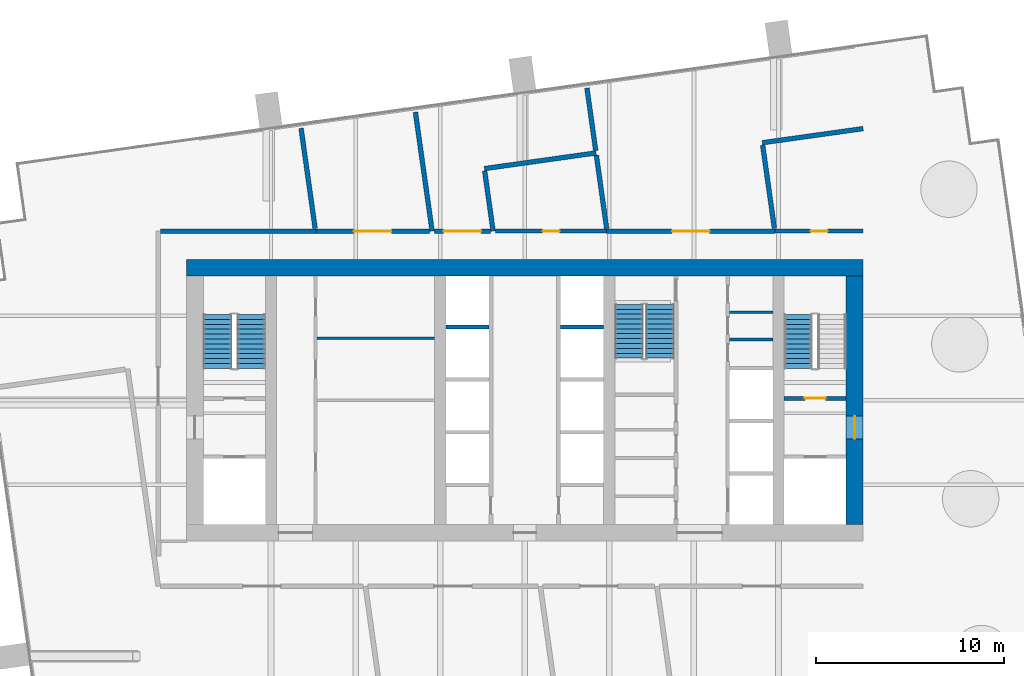
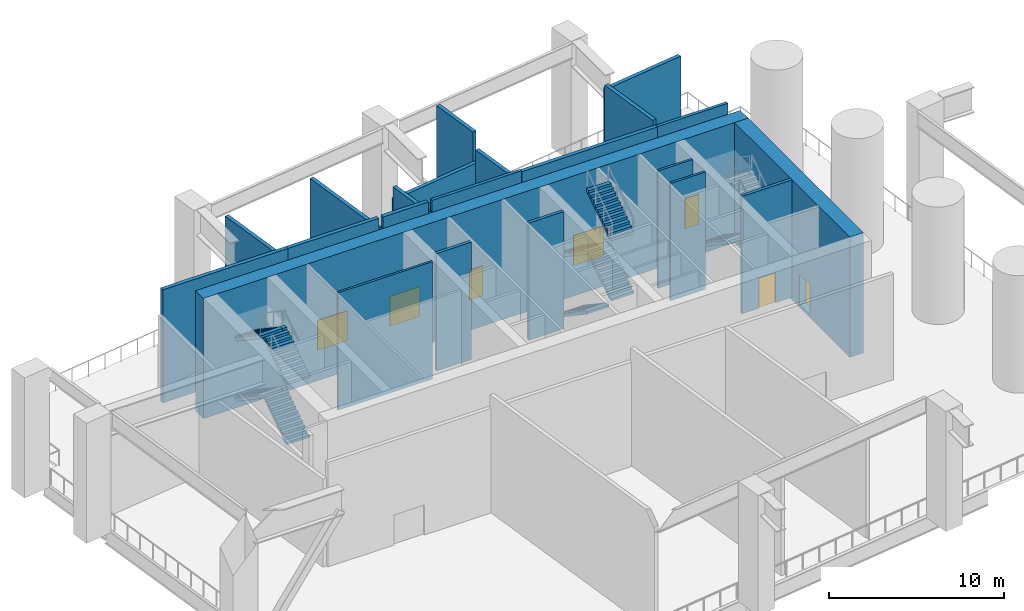
# One storey, part 4 of 13: 22 walls, 9 stair flights, 7 doors, 7 openings, 3 elements without a shape of their own.
"""IFC4 building model written with IfcOpenShell, lengths in metres."""

from ifc_helpers import new_model, si_unit, direction, frame, frame_2d, origin, place, context, subcontext, project, spatial, polyline, rectangle, outline, extrude, material, layer, layer_set, type_object, element, fill, aggregate, save


model = new_model("IFC4")

# Units and contexts
model_context = context("Model", 3, precision=1e-05, world=origin(), true_north=direction((0.0, 1.0)))
body_context = subcontext(model_context, "Body", "Model", "MODEL_VIEW")
ifc_project = project(units=[si_unit("LENGTHUNIT", "METRE"), si_unit("AREAUNIT", "SQUARE_METRE"), si_unit("VOLUMEUNIT", "CUBIC_METRE"), si_unit("PLANEANGLEUNIT", "RADIAN"), si_unit("MASSUNIT", "GRAM", prefix="KILO")], contexts=[model_context])

# Site, building, storey
site_placement = place(None, origin())
site = spatial("IfcSite", under=ifc_project, at=site_placement, CompositionType="ELEMENT")
building_placement = place(site_placement, origin())
building = spatial("IfcBuilding", under=site, at=building_placement, Name="Rattan Terrace Tower", CompositionType="ELEMENT")
storey_placement = place(building_placement, frame((0.0, 0.0, 199.699951171875)))
storey = spatial("IfcBuildingStorey", under=building, at=storey_placement, Name="L46", CompositionType="ELEMENT", Elevation=199.699951171875)

# Walls
ifc_material_1 = material(Name="Gypsum board partition")
ifc_layer_1 = layer(ifc_material_1, 0.14990234375)
ifc_layer_set_1 = layer_set([ifc_layer_1], Name="Core partition 150")
wall_type_1 = type_object("IfcWallType", Name="Core partition 150", PredefinedType="PARTITIONING", material=ifc_layer_set_1)
wall_1_placement = place(storey_placement, frame((-11.050048828125, 3.300048828125, 0.0), z_axis=(0.0, 0.0, 1.0), x_axis=(1.0, 0.0, 0.0)))
element("IfcWall", 1, at=wall_1_placement, inside=storey, type_object=wall_type_1, Name="Core room wall", PredefinedType="PARTITIONING", context=body_context, shape_type="SweptSolid", body=[
    extrude(rectangle(XDim=6.25, YDim=0.14990234375, at=frame_2d((3.125, 0.0))), origin(), (0.0, 0.0, 1.0), 8.199951171875),
])
for number, where, z_axis, x_axis, name in (
    (2, (10.89990234375, 3.239990234375, 0.0), (0.0, 0.0, 1.0), (1.0, 0.0, 0.0), "Riser room wall"),
    (3, (10.89990234375, 4.679931640625, 0.0), (0.0, 0.0, 1.0), (1.0, 0.0, 0.0), "Riser room wall"),
):
    element("IfcWall", number, at=place(storey_placement, frame(where, z_axis=z_axis, x_axis=x_axis)), inside=storey, type_object=wall_type_1, Name=name, PredefinedType="PARTITIONING", context=body_context, shape_type="SweptSolid", body=[
        extrude(rectangle(XDim=2.300048828125, YDim=0.14990234375, at=frame_2d((1.14990234375, 0.0))), origin(), (0.0, 0.0, 1.0), 8.199951171875),
    ])

# Wall, opening, door
ifc_material_2 = material(Name="Gypsum board partition")
ifc_layer_2 = layer(ifc_material_2, 0.199951171875)
ifc_layer_set_2 = layer_set([ifc_layer_2], Name="Core partition 200")
wall_type_2 = type_object("IfcWallType", Name="Core partition 200", PredefinedType="PARTITIONING", material=ifc_layer_set_2)
wall_2_placement = place(storey_placement, frame((13.800048828125, 0.10009765625, 0.0), z_axis=(0.0, 0.0, 1.0), x_axis=(1.0, 0.0, 0.0)))
wall_2 = element("IfcWall", 4, at=wall_2_placement, inside=storey, type_object=wall_type_2, Name="Stair enclosure wall", PredefinedType="PARTITIONING", context=body_context, shape_type="SweptSolid", body=[
    extrude(rectangle(XDim=3.300048828125, YDim=0.199951171875, at=frame_2d((1.64990234375, 0.0))), origin(), (0.0, 0.0, 1.0), 8.199951171875),
])
opening_1_placement = place(wall_2_placement, frame((1.10009765625, 0.0, 0.0)))
opening_1 = element("IfcOpeningElement", 5, at=opening_1_placement, cuts=wall_2, Name="Opening L46-D004", PredefinedType="OPENING", context=body_context, shape_type="SweptSolid", body=[
    extrude(rectangle(XDim=1.10009765625, YDim=2.10009765625, at=frame_2d((0.550048828125, 1.050048828125))), frame((0.0, 0.110595703125, 0.0), z_axis=(0.0, -1.0, 0.0), x_axis=(1.0, 0.0, 0.0)), (0.0, 0.0, 1.0), 0.220947265625),
])
ifc_material_3 = material(Name="Hollow-metal fire door leaf")
door_type_1 = type_object("IfcDoorType", Name="Core stair door 1100", OperationType="NOTDEFINED", PredefinedType="DOOR", material=ifc_material_3)
door_1_placement = place(opening_1_placement, origin())
door_1 = element("IfcDoor", 6, at=door_1_placement, inside=storey, type_object=door_type_1, Name="Door L46-D004", OperationType="SINGLE_SWING_RIGHT", OverallHeight=2.10009765625, OverallWidth=1.10009765625, PredefinedType="DOOR", context=body_context, shape_type="SweptSolid", body=[
    extrude(rectangle(XDim=1.10009765625, YDim=2.10009765625, at=frame_2d((0.550048828125, 1.050048828125))), frame((0.0, 0.02490234375, 0.0), z_axis=(0.0, -1.0, 0.0), x_axis=(1.0, 0.0, 0.0)), (0.0, 0.0, 1.0), 0.050048828125),
])
fill(opening_1, door_1)

# Wall
ifc_material_4 = material(Name="Concrete C60/75", Category="concrete")
ifc_layer_3 = layer(ifc_material_4, 0.89990234375)
ifc_layer_set_3 = layer_set([ifc_layer_3], Name="Core ring wall 900 C60/75")
wall_type_3 = type_object("IfcWallType", Name="Core ring wall 900 C60/75", PredefinedType="SHEAR", material=ifc_layer_set_3)
wall_3_placement = place(storey_placement, frame((-18.0, 7.050048828125, -0.199951171875), z_axis=(0.0, 0.0, 1.0), x_axis=(1.0, 0.0, 0.0)))
element("IfcWall", 7, at=wall_3_placement, inside=storey, type_object=wall_type_3, Name="Rear core wall north", PredefinedType="SHEAR", context=body_context, shape_type="SweptSolid", body=[
    extrude(rectangle(XDim=36.0, YDim=0.89990234375, at=frame_2d((18.0, 0.0))), origin(), (0.0, 0.0, 1.0), 8.39990234375),
])

# Wall, opening, door
wall_4_placement = place(storey_placement, frame((17.550048828125, -6.60009765625, -0.199951171875), z_axis=(0.0, 0.0, 1.0), x_axis=(0.0, 1.0, 0.0)))
wall_4 = element("IfcWall", 8, at=wall_4_placement, inside=storey, type_object=wall_type_3, Name="Rear core wall east", PredefinedType="SHEAR", context=body_context, shape_type="SweptSolid", body=[
    extrude(rectangle(XDim=13.2001953125, YDim=0.89990234375, at=frame_2d((6.60009765625, 0.0))), origin(), (0.0, 0.0, 1.0), 8.39990234375),
])
opening_2_placement = place(wall_4_placement, frame((4.550048828125, 0.0, 0.199951171875)))
opening_2 = element("IfcOpeningElement", 9, at=opening_2_placement, cuts=wall_4, Name="Opening L46-D003", PredefinedType="OPENING", context=body_context, shape_type="SweptSolid", body=[
    extrude(rectangle(XDim=1.199951171875, YDim=2.10009765625, at=frame_2d((0.60009765625, 1.050048828125))), frame((0.0, 0.46044921875, 0.0), z_axis=(0.0, -1.0, 0.0), x_axis=(1.0, 0.0, 0.0)), (0.0, 0.0, 1.0), 0.9208984375),
])
ifc_material_5 = material(Name="Hollow-metal fire door leaf")
door_type_2 = type_object("IfcDoorType", Name="Core fire-fighting lobby door 1200", OperationType="NOTDEFINED", PredefinedType="DOOR", material=ifc_material_5)
door_2_placement = place(opening_2_placement, origin())
door_2 = element("IfcDoor", 10, at=door_2_placement, inside=storey, type_object=door_type_2, Name="Door L46-D003", OperationType="SINGLE_SWING_LEFT", OverallHeight=2.10009765625, OverallWidth=1.199951171875, PredefinedType="DOOR", context=body_context, shape_type="SweptSolid", body=[
    extrude(rectangle(XDim=1.199951171875, YDim=2.10009765625, at=frame_2d((0.60009765625, 1.050048828125))), frame((0.0, 0.02490234375, 0.0), z_axis=(0.0, -1.0, 0.0), x_axis=(1.0, 0.0, 0.0)), (0.0, 0.0, 1.0), 0.050048828125),
])
fill(opening_2, door_2)

ifc_material_6 = material(Name="Concrete block wall, plastered", Category="concrete")
ifc_layer_4 = layer(ifc_material_6, 0.199951171875)
ifc_layer_set_4 = layer_set([ifc_layer_4], Name="Floors Plant Wall 200")
wall_type_4 = type_object("IfcWallType", Name="Floors Plant Wall 200", PredefinedType="PARTITIONING", material=ifc_layer_set_4)
wall_5_placement = place(storey_placement, frame((-1.55908203125, 8.9990234375, 0.0), z_axis=(0.0, 0.0, 1.0), x_axis=(1.0, 0.0, 0.0)))
wall_5 = element("IfcWall", 11, at=wall_5_placement, inside=storey, type_object=wall_type_4, Name="pt-L46-010", PredefinedType="PARTITIONING", context=body_context, shape_type="SweptSolid", body=[
    extrude(rectangle(XDim=5.9150390625, YDim=0.199951171875, at=frame_2d((2.95751953125, 0.0))), origin(), (0.0, 0.0, 1.0), 7.900146484375),
])
opening_3_placement = place(wall_5_placement, frame((2.508056640625, 0.0, 0.0)))
opening_3 = element("IfcOpeningElement", 12, at=opening_3_placement, cuts=wall_5, Name="Opening L46-D106", PredefinedType="OPENING", context=body_context, shape_type="SweptSolid", body=[
    extrude(rectangle(XDim=0.89990234375, YDim=2.10009765625, at=frame_2d((0.449951171875, 1.050048828125))), frame((0.0, 0.110595703125, 0.0), z_axis=(0.0, -1.0, 0.0), x_axis=(1.0, 0.0, 0.0)), (0.0, 0.0, 1.0), 0.220947265625),
])
ifc_material_7 = material(Name="Steel fire door set", Category="steel")
door_type_3 = type_object("IfcDoorType", Name="Floors Fire Door FD60 900x2100", OperationType="NOTDEFINED", PredefinedType="DOOR", material=ifc_material_7)
door_3_placement = place(opening_3_placement, origin())
door_3 = element("IfcDoor", 13, at=door_3_placement, inside=storey, type_object=door_type_3, Name="d-L46-106", OperationType="SINGLE_SWING_LEFT", OverallHeight=2.10009765625, OverallWidth=0.89990234375, PredefinedType="DOOR", context=body_context, shape_type="SweptSolid", body=[
    extrude(rectangle(XDim=0.89990234375, YDim=2.10009765625, at=frame_2d((0.449951171875, 1.050048828125))), frame((0.0, 0.02490234375, 0.0), z_axis=(0.0, -1.0, 0.0), x_axis=(1.0, 0.0, 0.0)), (0.0, 0.0, 1.0), 0.050048828125),
])
fill(opening_3, door_3)

wall_6_placement = place(storey_placement, frame((13.321044921875, 8.9990234375, 0.0), z_axis=(0.0, 0.0, 1.0), x_axis=(1.0, 0.0, 0.0)))
wall_6 = element("IfcWall", 14, at=wall_6_placement, inside=storey, type_object=wall_type_4, Name="pt-L46-012", PredefinedType="PARTITIONING", context=body_context, shape_type="SweptSolid", body=[
    extrude(rectangle(XDim=4.678955078125, YDim=0.199951171875, at=frame_2d((2.33935546875, 0.0))), origin(), (0.0, 0.0, 1.0), 7.840087890625),
])
opening_4_placement = place(wall_6_placement, frame((1.889892578125, 0.0, 0.0)))
opening_4 = element("IfcOpeningElement", 15, at=opening_4_placement, cuts=wall_6, Name="Opening L46-D108", PredefinedType="OPENING", context=body_context, shape_type="SweptSolid", body=[
    extrude(rectangle(XDim=0.89990234375, YDim=2.10009765625, at=frame_2d((0.449951171875, 1.050048828125))), frame((0.0, 0.110595703125, 0.0), z_axis=(0.0, -1.0, 0.0), x_axis=(1.0, 0.0, 0.0)), (0.0, 0.0, 1.0), 0.220947265625),
])
door_4_placement = place(opening_4_placement, origin())
door_4 = element("IfcDoor", 16, at=door_4_placement, inside=storey, type_object=door_type_3, Name="d-L46-108", OperationType="SINGLE_SWING_LEFT", OverallHeight=2.10009765625, OverallWidth=0.89990234375, PredefinedType="DOOR", context=body_context, shape_type="SweptSolid", body=[
    extrude(rectangle(XDim=0.89990234375, YDim=2.10009765625, at=frame_2d((0.449951171875, 1.050048828125))), frame((0.0, 0.02490234375, 0.0), z_axis=(0.0, -1.0, 0.0), x_axis=(1.0, 0.0, 0.0)), (0.0, 0.0, 1.0), 0.050048828125),
])
fill(opening_4, door_4)

# Wall
ifc_material_8 = material(Name="Reinforced concrete wall, painted", Category="concrete")
ifc_layer_5 = layer(ifc_material_8, 0.25)
ifc_layer_set_5 = layer_set([ifc_layer_5], Name="Floors Refuge Wall 250")
wall_type_5 = type_object("IfcWallType", Name="Floors Refuge Wall 250", PredefinedType="PARTITIONING", material=ifc_layer_set_5)
wall_7_placement = place(storey_placement, frame((-19.375, 9.0, 0.0), z_axis=(0.0, 0.0, 1.0), x_axis=(1.0, 0.0, 0.0)))
element("IfcWall", 17, at=wall_7_placement, inside=storey, type_object=wall_type_5, Name="pt-L46-008", PredefinedType="PARTITIONING", context=body_context, shape_type="SweptSolid", body=[
    extrude(rectangle(XDim=8.262939453125, YDim=0.25, at=frame_2d((4.13134765625, 0.0))), origin(), (0.0, 0.0, 1.0), 7.900146484375),
])

# Wall, opening, door
wall_8_placement = place(storey_placement, frame((-11.112060546875, 8.9990234375, 0.0), z_axis=(0.0, 0.0, 1.0), x_axis=(1.0, 0.0, 0.0)))
wall_8 = element("IfcWall", 18, at=wall_8_placement, inside=storey, type_object=wall_type_5, Name="pt-L46-009", PredefinedType="PARTITIONING", context=body_context, shape_type="SweptSolid", body=[
    extrude(rectangle(XDim=6.0400390625, YDim=0.25, at=frame_2d((3.02001953125, 0.0))), origin(), (0.0, 0.0, 1.0), 7.900146484375),
])
opening_5_placement = place(wall_8_placement, frame((2.02001953125, 0.0, 0.0)))
opening_5 = element("IfcOpeningElement", 19, at=opening_5_placement, cuts=wall_8, Name="Opening L46-D105", PredefinedType="OPENING", context=body_context, shape_type="SweptSolid", body=[
    extrude(rectangle(XDim=2.0, YDim=2.10009765625, at=frame_2d((1.0, 1.050048828125))), frame((0.0, 0.135498046875, 0.0), z_axis=(0.0, -1.0, 0.0), x_axis=(1.0, 0.0, 0.0)), (0.0, 0.0, 1.0), 0.27099609375),
])
ifc_material_9 = material(Name="Steel fire door set", Category="steel")
door_type_4 = type_object("IfcDoorType", Name="Floors Plant Equipment Door Pair FD120 2000x2100", OperationType="NOTDEFINED", PredefinedType="DOOR", material=ifc_material_9)
door_5_placement = place(opening_5_placement, origin())
door_5 = element("IfcDoor", 20, at=door_5_placement, inside=storey, type_object=door_type_4, Name="d-L46-105", OperationType="DOUBLE_DOOR_SINGLE_SWING", OverallHeight=2.10009765625, OverallWidth=2.0, PredefinedType="DOOR", context=body_context, shape_type="SweptSolid", body=[
    extrude(rectangle(XDim=2.0, YDim=2.10009765625, at=frame_2d((1.0, 1.050048828125))), frame((0.0, 0.02490234375, 0.0), z_axis=(0.0, -1.0, 0.0), x_axis=(1.0, 0.0, 0.0)), (0.0, 0.0, 1.0), 0.050048828125),
])
fill(opening_5, door_5)

wall_9_placement = place(storey_placement, frame((-4.803955078125, 8.9970703125, 0.0), z_axis=(0.0, 0.0, 1.0), x_axis=(1.0, 0.0, 0.0)))
wall_9 = element("IfcWall", 21, at=wall_9_placement, inside=storey, type_object=wall_type_5, Name="pt-L46-011", PredefinedType="PARTITIONING", context=body_context, shape_type="SweptSolid", body=[
    extrude(rectangle(XDim=2.97705078125, YDim=0.25, at=frame_2d((1.488525390625, 0.0))), origin(), (0.0, 0.0, 1.0), 7.900146484375),
])
opening_6_placement = place(wall_9_placement, frame((0.489013671875, 0.0, 0.0)))
opening_6 = element("IfcOpeningElement", 22, at=opening_6_placement, cuts=wall_9, Name="Opening L46-D107", PredefinedType="OPENING", context=body_context, shape_type="SweptSolid", body=[
    extrude(rectangle(XDim=2.0, YDim=2.10009765625, at=frame_2d((1.0, 1.050048828125))), frame((0.0, 0.135498046875, 0.0), z_axis=(0.0, -1.0, 0.0), x_axis=(1.0, 0.0, 0.0)), (0.0, 0.0, 1.0), 0.27099609375),
])
door_6_placement = place(opening_6_placement, origin())
door_6 = element("IfcDoor", 23, at=door_6_placement, inside=storey, type_object=door_type_4, Name="d-L46-107", OperationType="DOUBLE_DOOR_SINGLE_SWING", OverallHeight=2.10009765625, OverallWidth=2.0, PredefinedType="DOOR", context=body_context, shape_type="SweptSolid", body=[
    extrude(rectangle(XDim=2.0, YDim=2.10009765625, at=frame_2d((1.0, 1.050048828125))), frame((0.0, 0.02490234375, 0.0), z_axis=(0.0, -1.0, 0.0), x_axis=(1.0, 0.0, 0.0)), (0.0, 0.0, 1.0), 0.050048828125),
])
fill(opening_6, door_6)

wall_10_placement = place(storey_placement, frame((4.35595703125, 9.0, 0.0), z_axis=(0.0, 0.0, 1.0), x_axis=(1.0, 0.0, 0.0)))
wall_10 = element("IfcWall", 24, at=wall_10_placement, inside=storey, type_object=wall_type_5, Name="pt-L46-013", PredefinedType="PARTITIONING", context=body_context, shape_type="SweptSolid", body=[
    extrude(rectangle(XDim=8.965087890625, YDim=0.25, at=frame_2d((4.482421875, 0.0))), origin(), (0.0, 0.0, 1.0), 7.840087890625),
])
opening_7_placement = place(wall_10_placement, frame((3.48193359375, 0.0, 0.0)))
opening_7 = element("IfcOpeningElement", 25, at=opening_7_placement, cuts=wall_10, Name="Opening L46-D109", PredefinedType="OPENING", context=body_context, shape_type="SweptSolid", body=[
    extrude(rectangle(XDim=2.0, YDim=2.10009765625, at=frame_2d((1.0, 1.050048828125))), frame((0.0, 0.135498046875, 0.0), z_axis=(0.0, -1.0, 0.0), x_axis=(1.0, 0.0, 0.0)), (0.0, 0.0, 1.0), 0.27099609375),
])
door_7_placement = place(opening_7_placement, origin())
door_7 = element("IfcDoor", 26, at=door_7_placement, inside=storey, type_object=door_type_4, Name="d-L46-109", OperationType="DOUBLE_DOOR_SINGLE_SWING", OverallHeight=2.10009765625, OverallWidth=2.0, PredefinedType="DOOR", context=body_context, shape_type="SweptSolid", body=[
    extrude(rectangle(XDim=2.0, YDim=2.10009765625, at=frame_2d((1.0, 1.050048828125))), frame((0.0, 0.02490234375, 0.0), z_axis=(0.0, -1.0, 0.0), x_axis=(1.0, 0.0, 0.0)), (0.0, 0.0, 1.0), 0.050048828125),
])
fill(opening_7, door_7)

# Walls
wall_11_placement = place(storey_placement, frame((-11.90087890625, 14.47412109375, 0.0), z_axis=(0.0, 0.0, 1.0), x_axis=(0.139090841418, -0.990279626082, 0.0)))
element("IfcWall", 27, at=wall_11_placement, inside=storey, type_object=wall_type_5, Name="pt-L46-019", PredefinedType="PARTITIONING", context=body_context, shape_type="SweptSolid", body=[
    extrude(rectangle(XDim=5.38330078125, YDim=0.25, at=frame_2d((2.691650390625, 0.0))), origin(), (0.0, 0.0, 1.0), 7.10009765625),
])
wall_12_placement = place(storey_placement, frame((-5.818115234375, 15.3291015625, 0.0), z_axis=(0.0, 0.0, 1.0), x_axis=(0.139271219089, -0.990254274181, 0.0)))
element("IfcWall", 28, at=wall_12_placement, inside=storey, type_object=wall_type_5, Name="pt-L46-020", PredefinedType="PARTITIONING", context=body_context, shape_type="SweptSolid", body=[
    extrude(rectangle(XDim=6.391357421875, YDim=0.25, at=frame_2d((3.19580078125, 0.0))), origin(), (0.0, 0.0, 1.0), 7.10009765625),
])
wall_13_placement = place(storey_placement, frame((-2.14892578125, 12.323974609375, 0.0), z_axis=(0.0, 0.0, 1.0), x_axis=(0.990267623823, 0.139176266683, 0.0)))
element("IfcWall", 29, at=wall_13_placement, inside=storey, type_object=wall_type_5, Name="pt-L46-021", PredefinedType="PARTITIONING", context=body_context, shape_type="SweptSolid", body=[
    extrude(rectangle(XDim=5.999267578125, YDim=0.25, at=frame_2d((2.99951171875, 0.0))), origin(), (0.0, 0.0, 1.0), 6.150146484375),
])
wall_14_placement = place(storey_placement, frame((-1.68310546875, 8.9990234375, 0.0), z_axis=(0.0, 0.0, 1.0), x_axis=(-0.13920043999, 0.990264226107, 0.0)))
element("IfcWall", 30, at=wall_14_placement, inside=storey, type_object=wall_type_5, Name="pt-L46-022", PredefinedType="PARTITIONING", context=body_context, shape_type="SweptSolid", body=[
    extrude(rectangle(XDim=3.232421875, YDim=0.25, at=frame_2d((1.6162109375, 0.0))), origin(), (0.0, 0.0, 1.0), 7.10009765625),
])
wall_15_placement = place(storey_placement, frame((3.81005859375, 13.034912109375, 0.0), z_axis=(0.0, 0.0, 1.0), x_axis=(0.139005650311, -0.990291587959, 0.0)))
element("IfcWall", 31, at=wall_15_placement, inside=storey, type_object=wall_type_5, Name="pt-L46-023", PredefinedType="PARTITIONING", context=body_context, shape_type="SweptSolid", body=[
    extrude(rectangle(XDim=3.9482421875, YDim=0.25, at=frame_2d((1.97412109375, 0.0))), origin(), (0.0, 0.0, 1.0), 7.10009765625),
])
wall_16_placement = place(storey_placement, frame((3.30810546875, 16.612060546875, 0.0), z_axis=(0.0, 0.0, 1.0), x_axis=(0.139143559235, -0.990272220111, 0.0)))
element("IfcWall", 32, at=wall_16_placement, inside=storey, type_object=wall_type_5, Name="pt-L46-024", PredefinedType="PARTITIONING", context=body_context, shape_type="SweptSolid", body=[
    extrude(rectangle(XDim=3.36181640625, YDim=0.25, at=frame_2d((1.680908203125, 0.0))), origin(), (0.0, 0.0, 1.0), 8.199951171875),
])
wall_17_placement = place(storey_placement, frame((12.639892578125, 13.699951171875, 0.0), z_axis=(0.0, 0.0, 1.0), x_axis=(0.990277850905, 0.13910347949, 0.0)))
element("IfcWall", 33, at=wall_17_placement, inside=storey, type_object=wall_type_5, Name="pt-L46-025", PredefinedType="PARTITIONING", context=body_context, shape_type="SweptSolid", body=[
    extrude(rectangle(XDim=5.412841796875, YDim=0.25, at=frame_2d((2.70654296875, 0.0))), origin(), (0.0, 0.0, 1.0), 7.840087890625),
])
wall_18_placement = place(storey_placement, frame((13.281005859375, 9.14208984375, 0.0), z_axis=(0.0, 0.0, 1.0), x_axis=(-0.139367615221, 0.990240712063, 0.0)))
element("IfcWall", 34, at=wall_18_placement, inside=storey, type_object=wall_type_5, Name="pt-L46-026", PredefinedType="PARTITIONING", context=body_context, shape_type="SweptSolid", body=[
    extrude(rectangle(XDim=4.4775390625, YDim=0.25, at=frame_2d((2.23876953125, 0.0))), origin(), (0.0, 0.0, 1.0), 8.199951171875),
])
ifc_material_10 = material(Name="Gypsum shaft wall system")
ifc_layer_6 = layer(ifc_material_10, 0.199951171875)
ifc_layer_set_6 = layer_set([ifc_layer_6], Name="Lift shaft wall 200")
wall_type_6 = type_object("IfcWallType", Name="Lift shaft wall 200", PredefinedType="PARTITIONING", material=ifc_layer_set_6)
for number, where, z_axis, x_axis, name in (
    (35, (-4.199951171875, 3.89990234375, 0.0), (0.0, 0.0, 1.0), (1.0, 0.0, 0.0), "Lift shaft wall"),
    (36, (1.89990234375, 3.89990234375, 0.0), (0.0, 0.0, 1.0), (1.0, 0.0, 0.0), "Lift shaft wall"),
):
    element("IfcWall", number, at=place(storey_placement, frame(where, z_axis=z_axis, x_axis=x_axis)), inside=storey, type_object=wall_type_6, Name=name, PredefinedType="PARTITIONING", context=body_context, shape_type="SweptSolid", body=[
        extrude(rectangle(XDim=2.300048828125, YDim=0.199951171875, at=frame_2d((1.14990234375, 0.0))), origin(), (0.0, 0.0, 1.0), 8.199951171875),
    ])

# Stair, stair flights
ifc_material_11 = material(Name="Concrete C40/50", Category="concrete")
stair_type = type_object("IfcStairType", Name="Core exit stair 1500", PredefinedType="HALF_TURN_STAIR", material=ifc_material_11)
stair_1_placement = place(storey_placement, origin())
stair_1 = element("IfcStair", 37, at=stair_1_placement, inside=storey, type_object=stair_type, Name="L46 exit stair 1", PredefinedType="HALF_TURN_STAIR")
ifc_material_12 = material(Name="Concrete C40/50", Category="concrete")
stair_flight_type = type_object("IfcStairFlightType", Name="Core exit stair flight 1500", PredefinedType="STRAIGHT", material=ifc_material_12)
stair_flight_1_placement = place(storey_placement, frame((-14.550048828125, 1.699951171875, 0.0), z_axis=(0.0, 0.0, 1.0), x_axis=(0.0, 1.0, 0.0)))
stair_flight_1 = element("IfcStairFlight", 38, at=stair_flight_1_placement, type_object=stair_flight_type, Name="S1 flight 1", NumberOfRisers=12, NumberOfTreads=11, PredefinedType="STRAIGHT", RiserHeight=0.175, TreadLength=0.26, context=body_context, shape_type="SweptSolid", body=[
    extrude(outline(polyline([(0.0, 0.0), (0.0, 0.175048828125), (0.260009765625, 0.175048828125), (0.260009765625, 0.35009765625), (0.52001953125, 0.35009765625), (0.52001953125, 0.52490234375), (0.780029296875, 0.52490234375), (0.780029296875, 0.699951171875), (1.0400390625, 0.699951171875), (1.0400390625, 0.875), (1.300048828125, 0.875), (1.300048828125, 1.050048828125), (1.56005859375, 1.050048828125), (1.56005859375, 1.22509765625), (1.820068359375, 1.22509765625), (1.820068359375, 1.39990234375), (2.080078125, 1.39990234375), (2.080078125, 1.574951171875), (2.340087890625, 1.574951171875), (2.340087890625, 1.75), (2.60009765625, 1.75), (2.60009765625, 1.925048828125), (2.860107421875, 1.925048828125), (2.860107421875, 2.10009765625), (2.860107421875, 1.744384765625), (0.2685546875, 0.0), (0.0, 0.0)])), frame((0.0, 0.75, 0.0), z_axis=(0.0, -1.0, 0.0), x_axis=(1.0, 0.0, 0.0)), (0.0, 0.0, 1.0), 1.5),
])
stair_flight_2_placement = place(storey_placement, frame((-16.35009765625, 4.56005859375, 2.10009765625), z_axis=(0.0, 0.0, 1.0), x_axis=(0.0, -1.0, 0.0)))
stair_flight_2 = element("IfcStairFlight", 39, at=stair_flight_2_placement, type_object=stair_flight_type, Name="S1 flight 2", NumberOfRisers=12, NumberOfTreads=11, PredefinedType="STRAIGHT", RiserHeight=0.175, TreadLength=0.26, context=body_context, shape_type="SweptSolid", body=[
    extrude(outline(polyline([(0.0, 0.0), (0.0, 0.175048828125), (0.260009765625, 0.175048828125), (0.260009765625, 0.35009765625), (0.52001953125, 0.35009765625), (0.52001953125, 0.52490234375), (0.780029296875, 0.52490234375), (0.780029296875, 0.699951171875), (1.0400390625, 0.699951171875), (1.0400390625, 0.875), (1.300048828125, 0.875), (1.300048828125, 1.050048828125), (1.56005859375, 1.050048828125), (1.56005859375, 1.22509765625), (1.820068359375, 1.22509765625), (1.820068359375, 1.39990234375), (2.080078125, 1.39990234375), (2.080078125, 1.574951171875), (2.340087890625, 1.574951171875), (2.340087890625, 1.75), (2.60009765625, 1.75), (2.60009765625, 1.925048828125), (2.860107421875, 1.925048828125), (2.860107421875, 2.10009765625), (2.860107421875, 1.744384765625), (0.2685546875, 0.0), (0.0, 0.0)])), frame((0.0, 0.75, 0.0), z_axis=(0.0, -1.0, 0.0), x_axis=(1.0, 0.0, 0.0)), (0.0, 0.0, 1.0), 1.5),
])
stair_flight_3_placement = place(storey_placement, frame((-14.550048828125, 1.699951171875, 4.199951171875), z_axis=(0.0, 0.0, 1.0), x_axis=(0.0, 1.0, 0.0)))
stair_flight_3 = element("IfcStairFlight", 40, at=stair_flight_3_placement, type_object=stair_flight_type, Name="S1 flight 3", NumberOfRisers=12, NumberOfTreads=11, PredefinedType="STRAIGHT", RiserHeight=0.175, TreadLength=0.26, context=body_context, shape_type="SweptSolid", body=[
    extrude(outline(polyline([(0.0, 0.0), (0.0, 0.175048828125), (0.260009765625, 0.175048828125), (0.260009765625, 0.35009765625), (0.52001953125, 0.35009765625), (0.52001953125, 0.52490234375), (0.780029296875, 0.52490234375), (0.780029296875, 0.699951171875), (1.0400390625, 0.699951171875), (1.0400390625, 0.875), (1.300048828125, 0.875), (1.300048828125, 1.050048828125), (1.56005859375, 1.050048828125), (1.56005859375, 1.22509765625), (1.820068359375, 1.22509765625), (1.820068359375, 1.39990234375), (2.080078125, 1.39990234375), (2.080078125, 1.574951171875), (2.340087890625, 1.574951171875), (2.340087890625, 1.75), (2.60009765625, 1.75), (2.60009765625, 1.925048828125), (2.860107421875, 1.925048828125), (2.860107421875, 2.10009765625), (2.860107421875, 1.744384765625), (0.2685546875, 0.0), (0.0, 0.0)])), frame((0.0, 0.75, 0.0), z_axis=(0.0, -1.0, 0.0), x_axis=(1.0, 0.0, 0.0)), (0.0, 0.0, 1.0), 1.5),
])
stair_flight_4_placement = place(storey_placement, frame((-16.35009765625, 4.56005859375, 6.300048828125), z_axis=(0.0, 0.0, 1.0), x_axis=(0.0, -1.0, 0.0)))
stair_flight_4 = element("IfcStairFlight", 41, at=stair_flight_4_placement, type_object=stair_flight_type, Name="S1 flight 4", NumberOfRisers=12, NumberOfTreads=11, PredefinedType="STRAIGHT", RiserHeight=0.175, TreadLength=0.26, context=body_context, shape_type="SweptSolid", body=[
    extrude(outline(polyline([(0.0, 0.0), (0.0, 0.175048828125), (0.260009765625, 0.175048828125), (0.260009765625, 0.35009765625), (0.52001953125, 0.35009765625), (0.52001953125, 0.52490234375), (0.780029296875, 0.52490234375), (0.780029296875, 0.699951171875), (1.0400390625, 0.699951171875), (1.0400390625, 0.875), (1.300048828125, 0.875), (1.300048828125, 1.050048828125), (1.56005859375, 1.050048828125), (1.56005859375, 1.22509765625), (1.820068359375, 1.22509765625), (1.820068359375, 1.39990234375), (2.080078125, 1.39990234375), (2.080078125, 1.574951171875), (2.340087890625, 1.574951171875), (2.340087890625, 1.75), (2.60009765625, 1.75), (2.60009765625, 1.925048828125), (2.860107421875, 1.925048828125), (2.860107421875, 2.10009765625), (2.860107421875, 1.744384765625), (0.2685546875, 0.0), (0.0, 0.0)])), frame((0.0, 0.75, 0.0), z_axis=(0.0, -1.0, 0.0), x_axis=(1.0, 0.0, 0.0)), (0.0, 0.0, 1.0), 1.5),
])
aggregate(stair_1, [stair_flight_1, stair_flight_2, stair_flight_3, stair_flight_4])

# Stair, stair flight
stair_2_placement = place(storey_placement, origin())
stair_2 = element("IfcStair", 42, at=stair_2_placement, inside=storey, type_object=stair_type, Name="L46 exit stair 2", PredefinedType="HALF_TURN_STAIR")
stair_flight_5_placement = place(storey_placement, frame((14.550048828125, 4.56005859375, 2.10009765625), z_axis=(0.0, 0.0, 1.0), x_axis=(0.0, -1.0, 0.0)))
stair_flight_5 = element("IfcStairFlight", 43, at=stair_flight_5_placement, type_object=stair_flight_type, Name="S2 flight 2", NumberOfRisers=12, NumberOfTreads=11, PredefinedType="STRAIGHT", RiserHeight=0.175, TreadLength=0.26, context=body_context, shape_type="SweptSolid", body=[
    extrude(outline(polyline([(0.0, 0.0), (0.0, 0.175048828125), (0.260009765625, 0.175048828125), (0.260009765625, 0.35009765625), (0.52001953125, 0.35009765625), (0.52001953125, 0.52490234375), (0.780029296875, 0.52490234375), (0.780029296875, 0.699951171875), (1.0400390625, 0.699951171875), (1.0400390625, 0.875), (1.300048828125, 0.875), (1.300048828125, 1.050048828125), (1.56005859375, 1.050048828125), (1.56005859375, 1.22509765625), (1.820068359375, 1.22509765625), (1.820068359375, 1.39990234375), (2.080078125, 1.39990234375), (2.080078125, 1.574951171875), (2.340087890625, 1.574951171875), (2.340087890625, 1.75), (2.60009765625, 1.75), (2.60009765625, 1.925048828125), (2.860107421875, 1.925048828125), (2.860107421875, 2.10009765625), (2.860107421875, 1.744384765625), (0.2685546875, 0.0), (0.0, 0.0)])), frame((0.0, 0.75, 0.0), z_axis=(0.0, -1.0, 0.0), x_axis=(1.0, 0.0, 0.0)), (0.0, 0.0, 1.0), 1.5),
])
aggregate(stair_2, [stair_flight_5])

# Stair, stair flights
stair_3_placement = place(storey_placement, origin())
stair_3 = element("IfcStair", 44, at=stair_3_placement, inside=storey, type_object=stair_type, Name="L46 exit stair 3", PredefinedType="HALF_TURN_STAIR")
stair_flight_6_placement = place(storey_placement, frame((5.550048828125, 5.10009765625, 0.0), z_axis=(0.0, 0.0, 1.0), x_axis=(0.0, -1.0, 0.0)))
stair_flight_6 = element("IfcStairFlight", 45, at=stair_flight_6_placement, type_object=stair_flight_type, Name="S3 flight 1", NumberOfRisers=12, NumberOfTreads=11, PredefinedType="STRAIGHT", RiserHeight=0.175, TreadLength=0.26, context=body_context, shape_type="SweptSolid", body=[
    extrude(outline(polyline([(0.0, 0.0), (0.0, 0.175048828125), (0.260009765625, 0.175048828125), (0.260009765625, 0.35009765625), (0.52001953125, 0.35009765625), (0.52001953125, 0.52490234375), (0.780029296875, 0.52490234375), (0.780029296875, 0.699951171875), (1.0400390625, 0.699951171875), (1.0400390625, 0.875), (1.300048828125, 0.875), (1.300048828125, 1.050048828125), (1.56005859375, 1.050048828125), (1.56005859375, 1.22509765625), (1.820068359375, 1.22509765625), (1.820068359375, 1.39990234375), (2.080078125, 1.39990234375), (2.080078125, 1.574951171875), (2.340087890625, 1.574951171875), (2.340087890625, 1.75), (2.60009765625, 1.75), (2.60009765625, 1.925048828125), (2.860107421875, 1.925048828125), (2.860107421875, 2.10009765625), (2.860107421875, 1.744384765625), (0.2685546875, 0.0), (0.0, 0.0)])), frame((0.0, 0.75, 0.0), z_axis=(0.0, -1.0, 0.0), x_axis=(1.0, 0.0, 0.0)), (0.0, 0.0, 1.0), 1.5),
])
stair_flight_7_placement = place(storey_placement, frame((7.199951171875, 2.239990234375, 2.10009765625), z_axis=(0.0, 0.0, 1.0), x_axis=(0.0, 1.0, 0.0)))
stair_flight_7 = element("IfcStairFlight", 46, at=stair_flight_7_placement, type_object=stair_flight_type, Name="S3 flight 2", NumberOfRisers=12, NumberOfTreads=11, PredefinedType="STRAIGHT", RiserHeight=0.175, TreadLength=0.26, context=body_context, shape_type="SweptSolid", body=[
    extrude(outline(polyline([(0.0, 0.0), (0.0, 0.175048828125), (0.260009765625, 0.175048828125), (0.260009765625, 0.35009765625), (0.52001953125, 0.35009765625), (0.52001953125, 0.52490234375), (0.780029296875, 0.52490234375), (0.780029296875, 0.699951171875), (1.0400390625, 0.699951171875), (1.0400390625, 0.875), (1.300048828125, 0.875), (1.300048828125, 1.050048828125), (1.56005859375, 1.050048828125), (1.56005859375, 1.22509765625), (1.820068359375, 1.22509765625), (1.820068359375, 1.39990234375), (2.080078125, 1.39990234375), (2.080078125, 1.574951171875), (2.340087890625, 1.574951171875), (2.340087890625, 1.75), (2.60009765625, 1.75), (2.60009765625, 1.925048828125), (2.860107421875, 1.925048828125), (2.860107421875, 2.10009765625), (2.860107421875, 1.744384765625), (0.2685546875, 0.0), (0.0, 0.0)])), frame((0.0, 0.75, 0.0), z_axis=(0.0, -1.0, 0.0), x_axis=(1.0, 0.0, 0.0)), (0.0, 0.0, 1.0), 1.5),
])
stair_flight_8_placement = place(storey_placement, frame((5.550048828125, 5.10009765625, 4.199951171875), z_axis=(0.0, 0.0, 1.0), x_axis=(0.0, -1.0, 0.0)))
stair_flight_8 = element("IfcStairFlight", 47, at=stair_flight_8_placement, type_object=stair_flight_type, Name="S3 flight 3", NumberOfRisers=12, NumberOfTreads=11, PredefinedType="STRAIGHT", RiserHeight=0.175, TreadLength=0.26, context=body_context, shape_type="SweptSolid", body=[
    extrude(outline(polyline([(0.0, 0.0), (0.0, 0.175048828125), (0.260009765625, 0.175048828125), (0.260009765625, 0.35009765625), (0.52001953125, 0.35009765625), (0.52001953125, 0.52490234375), (0.780029296875, 0.52490234375), (0.780029296875, 0.699951171875), (1.0400390625, 0.699951171875), (1.0400390625, 0.875), (1.300048828125, 0.875), (1.300048828125, 1.050048828125), (1.56005859375, 1.050048828125), (1.56005859375, 1.22509765625), (1.820068359375, 1.22509765625), (1.820068359375, 1.39990234375), (2.080078125, 1.39990234375), (2.080078125, 1.574951171875), (2.340087890625, 1.574951171875), (2.340087890625, 1.75), (2.60009765625, 1.75), (2.60009765625, 1.925048828125), (2.860107421875, 1.925048828125), (2.860107421875, 2.10009765625), (2.860107421875, 1.744384765625), (0.2685546875, 0.0), (0.0, 0.0)])), frame((0.0, 0.75, 0.0), z_axis=(0.0, -1.0, 0.0), x_axis=(1.0, 0.0, 0.0)), (0.0, 0.0, 1.0), 1.5),
])
stair_flight_9_placement = place(storey_placement, frame((7.199951171875, 2.239990234375, 6.300048828125), z_axis=(0.0, 0.0, 1.0), x_axis=(0.0, 1.0, 0.0)))
stair_flight_9 = element("IfcStairFlight", 48, at=stair_flight_9_placement, type_object=stair_flight_type, Name="S3 flight 4", NumberOfRisers=12, NumberOfTreads=11, PredefinedType="STRAIGHT", RiserHeight=0.175, TreadLength=0.26, context=body_context, shape_type="SweptSolid", body=[
    extrude(outline(polyline([(0.0, 0.0), (0.0, 0.175048828125), (0.260009765625, 0.175048828125), (0.260009765625, 0.35009765625), (0.52001953125, 0.35009765625), (0.52001953125, 0.52490234375), (0.780029296875, 0.52490234375), (0.780029296875, 0.699951171875), (1.0400390625, 0.699951171875), (1.0400390625, 0.875), (1.300048828125, 0.875), (1.300048828125, 1.050048828125), (1.56005859375, 1.050048828125), (1.56005859375, 1.22509765625), (1.820068359375, 1.22509765625), (1.820068359375, 1.39990234375), (2.080078125, 1.39990234375), (2.080078125, 1.574951171875), (2.340087890625, 1.574951171875), (2.340087890625, 1.75), (2.60009765625, 1.75), (2.60009765625, 1.925048828125), (2.860107421875, 1.925048828125), (2.860107421875, 2.10009765625), (2.860107421875, 1.744384765625), (0.2685546875, 0.0), (0.0, 0.0)])), frame((0.0, 0.75, 0.0), z_axis=(0.0, -1.0, 0.0), x_axis=(1.0, 0.0, 0.0)), (0.0, 0.0, 1.0), 1.5),
])
aggregate(stair_3, [stair_flight_6, stair_flight_7, stair_flight_8, stair_flight_9])

save(model, "model.ifc")
